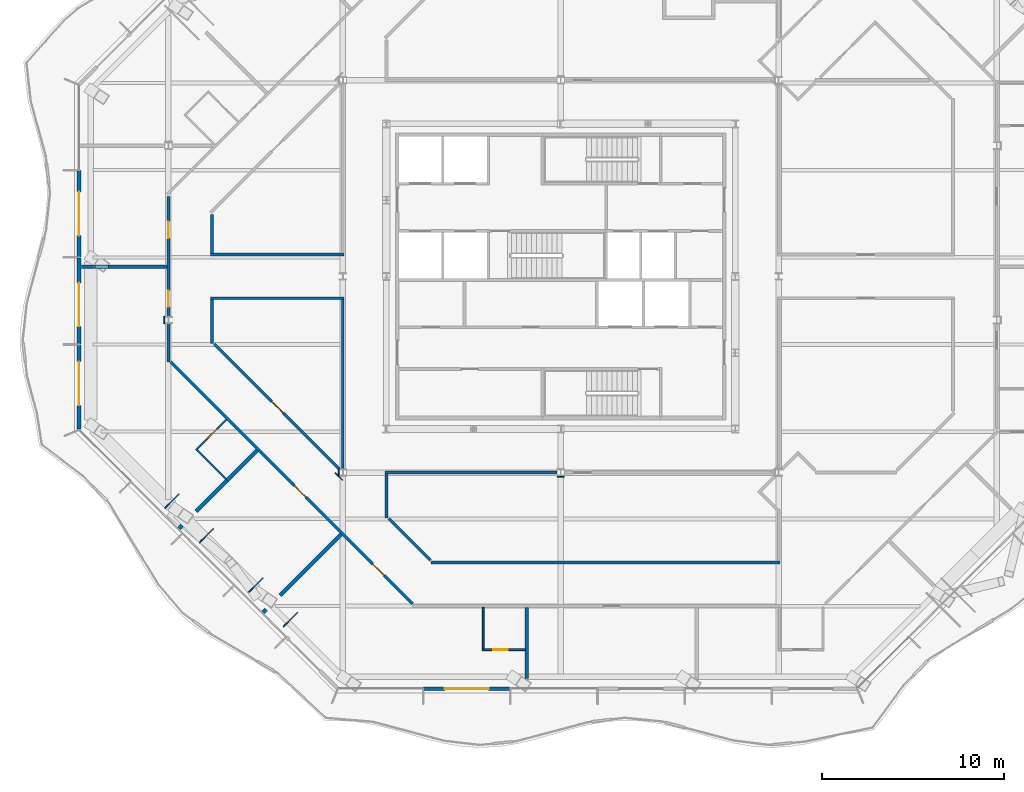
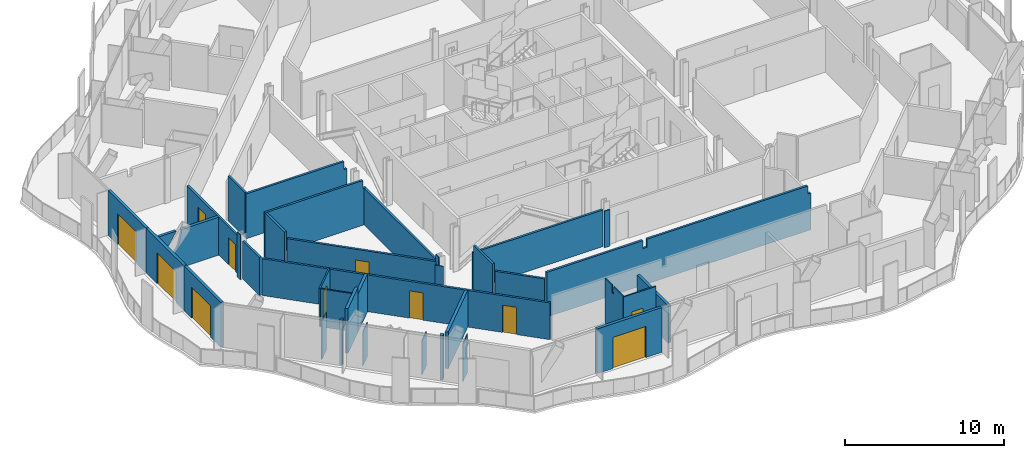
# One storey, part 7 of 21: 37 walls, 11 doors, 11 openings.
"""IFC4 building model written with IfcOpenShell, lengths in metres."""

from ifc_helpers import new_model, si_unit, direction, frame, frame_2d, origin, place, context, subcontext, project, spatial, polyline, rectangle, outline, extrude, material, layer, layer_set, type_object, element, fill, save


model = new_model("IFC4")

# Units and contexts
model_context = context("Model", 3, precision=1e-05, world=origin(), true_north=direction((0.0, 1.0)))
body_context = subcontext(model_context, "Body", "Model", "MODEL_VIEW")
ifc_project = project(units=[si_unit("LENGTHUNIT", "METRE"), si_unit("AREAUNIT", "SQUARE_METRE"), si_unit("VOLUMEUNIT", "CUBIC_METRE"), si_unit("PLANEANGLEUNIT", "RADIAN"), si_unit("MASSUNIT", "GRAM", prefix="KILO")], contexts=[model_context])

# Site, building, storey
site_placement = place(None, origin())
site = spatial("IfcSite", under=ifc_project, at=site_placement, CompositionType="ELEMENT")
building_placement = place(site_placement, origin())
building = spatial("IfcBuilding", under=site, at=building_placement, Name="Cairn Pilgrim Tower", CompositionType="ELEMENT")
storey_placement = place(building_placement, frame((0.0, 0.0, 183.0)))
storey = spatial("IfcBuildingStorey", under=building, at=storey_placement, Name="L46", CompositionType="ELEMENT", Elevation=183.0)

# Wall, opening, door
ifc_material_1 = material(Name="Bronze anodised aluminium insulated sandwich panel with mineral wool fill", Category="aluminium")
ifc_layer_1 = layer(ifc_material_1, 0.199951171875)
ifc_layer_set_1 = layer_set([ifc_layer_1], Name="BRONZE INFILL FRAME WALL 200")
wall_type_1 = type_object("IfcWallType", Name="BRONZE INFILL FRAME WALL 200", PredefinedType="NOTDEFINED", material=ifc_layer_set_1)
wall_1_placement = place(storey_placement, frame((-0.344970703125, -20.300048828125, 0.0), z_axis=(0.0, 0.0, 1.0), x_axis=(1.0, 0.0, 0.0)))
wall_1 = element("IfcWall", 1, at=wall_1_placement, inside=storey, type_object=wall_type_1, Name="Bronze infill frame wall IW-S2", PredefinedType="NOTDEFINED", context=body_context, shape_type="SweptSolid", body=[
    extrude(rectangle(XDim=4.739990234375, YDim=0.199951171875, at=frame_2d((2.3701171875, 0.0))), origin(), (0.0, 0.0, 1.0), 3.449951171875),
])
opening_1_placement = place(wall_1_placement, frame((1.169921875, 0.0, 0.0)))
opening_1 = element("IfcOpeningElement", 2, at=opening_1_placement, cuts=wall_1, Name="Opening 4617B2", PredefinedType="OPENING", context=body_context, shape_type="SweptSolid", body=[
    extrude(rectangle(XDim=2.39990234375, YDim=2.39990234375, at=frame_2d((1.199951171875, 1.199951171875))), frame((0.0, 0.10986328125, 0.0), z_axis=(0.0, -1.0, 0.0), x_axis=(1.0, 0.0, 0.0)), (0.0, 0.0, 1.0), 0.219970703125),
])
ifc_material_2 = material(Name="Bronze anodised aluminium frame with tinted low-E glass", Category="aluminium")
door_type_1 = type_object("IfcDoorType", Name="BALCONY SLIDING DOOR 2400x2400", OperationType="DOUBLE_DOOR_SLIDING", PredefinedType="DOOR", material=ifc_material_2)
door_1_placement = place(opening_1_placement, origin())
door_1 = element("IfcDoor", 3, at=door_1_placement, inside=storey, type_object=door_type_1, Name="Balcony sliding door 4617B2", OperationType="SINGLE_SWING_LEFT", OverallHeight=2.39990234375, OverallWidth=2.39990234375, PredefinedType="DOOR", context=body_context, shape_type="SweptSolid", body=[
    extrude(rectangle(XDim=2.39990234375, YDim=2.39990234375, at=frame_2d((1.199951171875, 1.199951171875))), frame((0.0, 0.02490234375, 0.0), z_axis=(0.0, -1.0, 0.0), x_axis=(1.0, 0.0, 0.0)), (0.0, 0.0, 1.0), 0.050048828125),
])
fill(opening_1, door_1)

wall_2_placement = place(storey_placement, frame((-19.324951171875, 8.219970703125, 0.0), z_axis=(0.0, 0.0, 1.0), x_axis=(0.0, -1.0, 0.0)))
wall_2 = element("IfcWall", 4, at=wall_2_placement, inside=storey, type_object=wall_type_1, Name="Bronze infill frame wall IW-W2", PredefinedType="NOTDEFINED", context=body_context, shape_type="SweptSolid", body=[
    extrude(rectangle(XDim=4.739990234375, YDim=0.199951171875, at=frame_2d((2.3701171875, 0.0))), origin(), (0.0, 0.0, 1.0), 3.449951171875),
])
opening_2_placement = place(wall_2_placement, frame((1.169921875, 0.0, 0.0)))
opening_2 = element("IfcOpeningElement", 5, at=opening_2_placement, cuts=wall_2, Name="Opening 4614B", PredefinedType="OPENING", context=body_context, shape_type="SweptSolid", body=[
    extrude(rectangle(XDim=2.39990234375, YDim=2.39990234375, at=frame_2d((1.199951171875, 1.199951171875))), frame((0.0, 0.10986328125, 0.0), z_axis=(0.0, -1.0, 0.0), x_axis=(1.0, 0.0, 0.0)), (0.0, 0.0, 1.0), 0.219970703125),
])
door_2_placement = place(opening_2_placement, origin())
door_2 = element("IfcDoor", 6, at=door_2_placement, inside=storey, type_object=door_type_1, Name="Balcony sliding door 4614B", OperationType="SINGLE_SWING_LEFT", OverallHeight=2.39990234375, OverallWidth=2.39990234375, PredefinedType="DOOR", context=body_context, shape_type="SweptSolid", body=[
    extrude(rectangle(XDim=2.39990234375, YDim=2.39990234375, at=frame_2d((1.199951171875, 1.199951171875))), frame((0.0, 0.02490234375, 0.0), z_axis=(0.0, -1.0, 0.0), x_axis=(1.0, 0.0, 0.0)), (0.0, 0.0, 1.0), 0.050048828125),
])
fill(opening_2, door_2)

wall_3_placement = place(storey_placement, frame((-19.324951171875, 3.419921875, 0.0), z_axis=(0.0, 0.0, 1.0), x_axis=(0.0, -1.0, 0.0)))
wall_3 = element("IfcWall", 7, at=wall_3_placement, inside=storey, type_object=wall_type_1, Name="Bronze infill frame wall IW-W3", PredefinedType="NOTDEFINED", context=body_context, shape_type="SweptSolid", body=[
    extrude(rectangle(XDim=4.739990234375, YDim=0.199951171875, at=frame_2d((2.3701171875, 0.0))), origin(), (0.0, 0.0, 1.0), 3.449951171875),
])
opening_3_placement = place(wall_3_placement, frame((1.3701171875, 0.0, 0.0)))
opening_3 = element("IfcOpeningElement", 8, at=opening_3_placement, cuts=wall_3, Name="Opening 4615B", PredefinedType="OPENING", context=body_context, shape_type="SweptSolid", body=[
    extrude(rectangle(XDim=2.39990234375, YDim=2.39990234375, at=frame_2d((1.199951171875, 1.199951171875))), frame((0.0, 0.10986328125, 0.0), z_axis=(0.0, -1.0, 0.0), x_axis=(1.0, 0.0, 0.0)), (0.0, 0.0, 1.0), 0.219970703125),
])
door_3_placement = place(opening_3_placement, origin())
door_3 = element("IfcDoor", 9, at=door_3_placement, inside=storey, type_object=door_type_1, Name="Balcony sliding door 4615B", OperationType="SINGLE_SWING_LEFT", OverallHeight=2.39990234375, OverallWidth=2.39990234375, PredefinedType="DOOR", context=body_context, shape_type="SweptSolid", body=[
    extrude(rectangle(XDim=2.39990234375, YDim=2.39990234375, at=frame_2d((1.199951171875, 1.199951171875))), frame((0.0, 0.02490234375, 0.0), z_axis=(0.0, -1.0, 0.0), x_axis=(1.0, 0.0, 0.0)), (0.0, 0.0, 1.0), 0.050048828125),
])
fill(opening_3, door_3)

wall_4_placement = place(storey_placement, frame((-19.324951171875, -1.3798828125, 0.0), z_axis=(0.0, 0.0, 1.0), x_axis=(0.0, -1.0, 0.0)))
wall_4 = element("IfcWall", 10, at=wall_4_placement, inside=storey, type_object=wall_type_1, Name="Bronze infill frame wall IW-W4", PredefinedType="NOTDEFINED", context=body_context, shape_type="SweptSolid", body=[
    extrude(rectangle(XDim=4.62646484375, YDim=0.199951171875, at=frame_2d((2.313232421875, 0.0))), origin(), (0.0, 0.0, 1.0), 3.449951171875),
])
opening_4_placement = place(wall_4_placement, frame((0.91796875, 0.0, 0.0)))
opening_4 = element("IfcOpeningElement", 11, at=opening_4_placement, cuts=wall_4, Name="Opening 4615B2", PredefinedType="OPENING", context=body_context, shape_type="SweptSolid", body=[
    extrude(rectangle(XDim=2.39990234375, YDim=2.39990234375, at=frame_2d((1.199951171875, 1.199951171875))), frame((0.0, 0.10986328125, 0.0), z_axis=(0.0, -1.0, 0.0), x_axis=(1.0, 0.0, 0.0)), (0.0, 0.0, 1.0), 0.219970703125),
])
door_4_placement = place(opening_4_placement, origin())
door_4 = element("IfcDoor", 12, at=door_4_placement, inside=storey, type_object=door_type_1, Name="Balcony sliding door 4615B2", OperationType="SINGLE_SWING_LEFT", OverallHeight=2.39990234375, OverallWidth=2.39990234375, PredefinedType="DOOR", context=body_context, shape_type="SweptSolid", body=[
    extrude(rectangle(XDim=2.39990234375, YDim=2.39990234375, at=frame_2d((1.199951171875, 1.199951171875))), frame((0.0, 0.02490234375, 0.0), z_axis=(0.0, -1.0, 0.0), x_axis=(1.0, 0.0, 0.0)), (0.0, 0.0, 1.0), 0.050048828125),
])
fill(opening_4, door_4)

ifc_material_3 = material(Name="Gypsum partition")
ifc_layer_2 = layer(ifc_material_3, 0.10009765625)
ifc_layer_set_2 = layer_set([ifc_layer_2], Name="PARTITION 100 DRYWALL")
wall_type_2 = type_object("IfcWallType", Name="PARTITION 100 DRYWALL", PredefinedType="PARTITIONING", material=ifc_layer_set_2)
wall_5_placement = place(storey_placement, frame((2.886962890625, -18.14990234375, 0.0), z_axis=(0.0, 0.0, 1.0), x_axis=(1.0, 0.0, 0.0)))
wall_5 = element("IfcWall", 13, at=wall_5_placement, inside=storey, type_object=wall_type_2, Name="PARTITION W003", PredefinedType="PARTITIONING", context=body_context, shape_type="SweptSolid", body=[
    extrude(rectangle(XDim=2.35009765625, YDim=0.10009765625, at=frame_2d((1.175048828125, 0.0))), origin(), (0.0, 0.0, 1.0), 3.449951171875),
])
opening_5_placement = place(wall_5_placement, frame((0.60009765625, 0.0, 0.0)))
opening_5 = element("IfcOpeningElement", 14, at=opening_5_placement, cuts=wall_5, Name="Opening 4617A", PredefinedType="OPENING", context=body_context, shape_type="SweptSolid", body=[
    extrude(rectangle(XDim=0.800048828125, YDim=2.10009765625, at=frame_2d((0.39990234375, 1.050048828125))), frame((0.0, 0.06005859375, 0.0), z_axis=(0.0, -1.0, 0.0), x_axis=(1.0, 0.0, 0.0)), (0.0, 0.0, 1.0), 0.1201171875),
])
ifc_material_4 = material(Name="Timber door leaf", Category="wood")
door_type_2 = type_object("IfcDoorType", Name="WC DOOR 800x2100", OperationType="NOTDEFINED", PredefinedType="DOOR", material=ifc_material_4)
door_5_placement = place(opening_5_placement, frame((0.800048828125, 0.0, 0.0), z_axis=(0.0, 0.0, 1.0), x_axis=(-1.0, 0.0, 0.0)))
door_5 = element("IfcDoor", 15, at=door_5_placement, inside=storey, type_object=door_type_2, Name="DOOR 4617A", OperationType="SINGLE_SWING_LEFT", OverallHeight=2.10009765625, OverallWidth=0.800048828125, PredefinedType="DOOR", context=body_context, shape_type="SweptSolid", body=[
    extrude(rectangle(XDim=0.800048828125, YDim=2.10009765625, at=frame_2d((0.39990234375, 1.050048828125))), frame((0.0, 0.02490234375, 0.0), z_axis=(0.0, -1.0, 0.0), x_axis=(1.0, 0.0, 0.0)), (0.0, 0.0, 1.0), 0.050048828125),
])
fill(opening_5, door_5)

# Walls
wall_6_placement = place(storey_placement, frame((2.93701171875, -18.10009765625, 0.0), z_axis=(0.0, 0.0, 1.0), x_axis=(0.0, 1.0, 0.0)))
element("IfcWall", 16, at=wall_6_placement, inside=storey, type_object=wall_type_2, Name="PARTITION W005", PredefinedType="PARTITIONING", context=body_context, shape_type="SweptSolid", body=[
    extrude(outline(polyline([(0.0, 0.0), (2.275146484375, 0.0), (2.27490234375, 3.449951171875), (1.405029296875, 3.449951171875), (1.403076171875, 2.8798828125), (1.195068359375, 2.8798828125), (1.193115234375, 3.449951171875), (0.0, 3.449951171875), (0.0, 0.0)])), frame((0.0, 0.050048828125, 0.0), z_axis=(0.0, -1.0, 0.0), x_axis=(1.0, 0.0, 0.0)), (0.0, 0.0, 1.0), 0.10009765625),
])
wall_7_placement = place(storey_placement, frame((-11.232666015625, -8.75537109375, 0.0), z_axis=(0.0, 0.0, 1.0), x_axis=(-0.707323685092, 0.706889810726, 0.0)))
element("IfcWall", 17, at=wall_7_placement, inside=storey, type_object=wall_type_2, Name="PARTITION W024", PredefinedType="PARTITIONING", context=body_context, shape_type="SweptSolid", body=[
    extrude(rectangle(XDim=2.250732421875, YDim=0.10009765625, at=frame_2d((1.12548828125, 0.0))), origin(), (0.0, 0.0, 1.0), 2.929931640625),
])

# Wall, opening, door
wall_8_placement = place(storey_placement, frame((-12.8955078125, -7.164306640625, 0.0), z_axis=(0.0, 0.0, 1.0), x_axis=(0.707363658693, 0.706849810328, 0.0)))
wall_8 = element("IfcWall", 18, at=wall_8_placement, inside=storey, type_object=wall_type_2, Name="PARTITION W036", PredefinedType="PARTITIONING", context=body_context, shape_type="SweptSolid", body=[
    extrude(rectangle(XDim=2.37548828125, YDim=0.10009765625, at=frame_2d((1.187744140625, 0.0))), origin(), (0.0, 0.0, 1.0), 2.929931640625),
])
opening_6_placement = place(wall_8_placement, frame((0.8505859375, 0.0, 0.0)))
opening_6 = element("IfcOpeningElement", 19, at=opening_6_placement, cuts=wall_8, Name="Opening 4615A", PredefinedType="OPENING", context=body_context, shape_type="SweptSolid", body=[
    extrude(rectangle(XDim=0.800048828125, YDim=2.10009765625, at=frame_2d((0.39990234375, 1.050048828125))), frame((0.0, 0.06005859375, 0.0), z_axis=(0.0, -1.0, 0.0), x_axis=(1.0, 0.0, 0.0)), (0.0, 0.0, 1.0), 0.1201171875),
])
door_6_placement = place(opening_6_placement, origin())
door_6 = element("IfcDoor", 20, at=door_6_placement, inside=storey, type_object=door_type_2, Name="DOOR 4615A", OperationType="SINGLE_SWING_LEFT", OverallHeight=2.10009765625, OverallWidth=0.800048828125, PredefinedType="DOOR", context=body_context, shape_type="SweptSolid", body=[
    extrude(rectangle(XDim=0.800048828125, YDim=2.10009765625, at=frame_2d((0.39990234375, 1.050048828125))), frame((0.0, 0.02490234375, 0.0), z_axis=(0.0, -1.0, 0.0), x_axis=(1.0, 0.0, 0.0)), (0.0, 0.0, 1.0), 0.050048828125),
])
fill(opening_6, door_6)

# Wall, openings, doors
ifc_layer_3 = layer(ifc_material_3, 0.14990234375)
ifc_layer_set_3 = layer_set([ifc_layer_3], Name="PARTITION 150 DRYWALL EI 60")
wall_type_3 = type_object("IfcWallType", Name="PARTITION 150 DRYWALL EI 60", PredefinedType="PARTITIONING", material=ifc_layer_set_3)
wall_9_placement = place(storey_placement, frame((-0.971923828125, -15.6220703125, 0.0), z_axis=(0.0, 0.0, 1.0), x_axis=(-0.707106781187, 0.707106781187, 0.0)))
wall_9 = element("IfcWall", 21, at=wall_9_placement, inside=storey, type_object=wall_type_3, Name="PARTITION W010", PredefinedType="PARTITIONING", context=body_context, shape_type="SweptSolid", body=[
    extrude(rectangle(XDim=18.80908203125, YDim=0.14990234375, at=frame_2d((9.404541015625, 0.0))), origin(), (0.0, 0.0, 1.0), 2.830078125),
])
opening_7_placement = place(wall_9_placement, frame((8.29150390625, 0.0, 0.0)))
opening_7 = element("IfcOpeningElement", 22, at=opening_7_placement, cuts=wall_9, Name="Opening 4616", PredefinedType="OPENING", context=body_context, shape_type="SweptSolid", body=[
    extrude(rectangle(XDim=0.89990234375, YDim=2.10009765625, at=frame_2d((0.449951171875, 1.050048828125))), frame((0.0, 0.0849609375, 0.0), z_axis=(0.0, -1.0, 0.0), x_axis=(1.0, 0.0, 0.0)), (0.0, 0.0, 1.0), 0.169921875),
])
opening_8_placement = place(wall_9_placement, frame((2.19482421875, 0.0, 0.0)))
opening_8 = element("IfcOpeningElement", 23, at=opening_8_placement, cuts=wall_9, Name="Opening 4617", PredefinedType="OPENING", context=body_context, shape_type="SweptSolid", body=[
    extrude(rectangle(XDim=0.89990234375, YDim=2.10009765625, at=frame_2d((0.449951171875, 1.050048828125))), frame((0.0, 0.0849609375, 0.0), z_axis=(0.0, -1.0, 0.0), x_axis=(1.0, 0.0, 0.0)), (0.0, 0.0, 1.0), 0.169921875),
])
door_type_3 = type_object("IfcDoorType", Name="ROOM DOOR 900x2100 FD30S", OperationType="NOTDEFINED", PredefinedType="DOOR", material=ifc_material_4)
door_7_placement = place(opening_8_placement, origin())
door_7 = element("IfcDoor", 24, at=door_7_placement, inside=storey, type_object=door_type_3, Name="DOOR 4617", OperationType="SINGLE_SWING_LEFT", OverallHeight=2.10009765625, OverallWidth=0.89990234375, PredefinedType="DOOR", context=body_context, shape_type="SweptSolid", body=[
    extrude(rectangle(XDim=0.89990234375, YDim=2.10009765625, at=frame_2d((0.449951171875, 1.050048828125))), frame((0.0, 0.02490234375, 0.0), z_axis=(0.0, -1.0, 0.0), x_axis=(1.0, 0.0, 0.0)), (0.0, 0.0, 1.0), 0.050048828125),
])
fill(opening_8, door_7)
door_type_4 = type_object("IfcDoorType", Name="SERVICE DOOR 900x2100 FD30S", OperationType="NOTDEFINED", PredefinedType="DOOR", material=ifc_material_4)
door_8_placement = place(opening_7_placement, origin())
door_8 = element("IfcDoor", 25, at=door_8_placement, inside=storey, type_object=door_type_4, Name="DOOR 4616", OperationType="SINGLE_SWING_LEFT", OverallHeight=2.10009765625, OverallWidth=0.89990234375, PredefinedType="DOOR", context=body_context, shape_type="SweptSolid", body=[
    extrude(rectangle(XDim=0.89990234375, YDim=2.10009765625, at=frame_2d((0.449951171875, 1.050048828125))), frame((0.0, 0.02490234375, 0.0), z_axis=(0.0, -1.0, 0.0), x_axis=(1.0, 0.0, 0.0)), (0.0, 0.0, 1.0), 0.050048828125),
])
fill(opening_7, door_8)

# Walls
wall_10_placement = place(storey_placement, frame((0.0439453125, -13.35009765625, 0.0), z_axis=(0.0, 0.0, 1.0), x_axis=(1.0, 0.0, 0.0)))
element("IfcWall", 26, at=wall_10_placement, inside=storey, type_object=wall_type_3, Name="PARTITION W014", PredefinedType="PARTITIONING", context=body_context, shape_type="SweptSolid", body=[
    extrude(outline(polyline([(0.0, 0.0), (19.23095703125, 0.0), (19.231201171875, 2.830078125), (19.006103515625, 2.830078125), (19.004150390625, 3.449951171875), (7.30615234375, 3.449951171875), (7.30419921875, 2.830078125), (7.006103515625, 2.830078125), (7.004150390625, 3.449951171875), (0.0, 3.449951171875), (0.0, 0.0)])), frame((0.0, 0.074951171875, 0.0), z_axis=(0.0, -1.0, 0.0), x_axis=(1.0, 0.0, 0.0)), (0.0, 0.0, 1.0), 0.14990234375),
])
wall_11_placement = place(storey_placement, frame((0.02197265625, -13.221923828125, 0.0), z_axis=(0.0, 0.0, 1.0), x_axis=(-0.707106781187, 0.707106781187, 0.0)))
element("IfcWall", 27, at=wall_11_placement, inside=storey, type_object=wall_type_3, Name="PARTITION W016", PredefinedType="PARTITIONING", context=body_context, shape_type="SweptSolid", body=[
    extrude(rectangle(XDim=3.244140625, YDim=0.14990234375, at=frame_2d((1.6220703125, 0.0))), origin(), (0.0, 0.0, 1.0), 2.8798828125),
])
wall_12_placement = place(storey_placement, frame((-2.39990234375, -10.906005859375, 0.0), z_axis=(0.0, 0.0, 1.0), x_axis=(0.0, 1.0, 0.0)))
element("IfcWall", 28, at=wall_12_placement, inside=storey, type_object=wall_type_3, Name="PARTITION W019", PredefinedType="PARTITIONING", context=body_context, shape_type="SweptSolid", body=[
    extrude(outline(polyline([(0.0, 0.0), (2.430908203125, 0.0), (2.43115234375, 2.830078125), (2.356201171875, 2.830078125), (2.35400390625, 3.449951171875), (0.0, 3.449951171875), (0.0, 0.0)])), frame((0.0, 0.074951171875, 0.0), z_axis=(0.0, -1.0, 0.0), x_axis=(1.0, 0.0, 0.0)), (0.0, 0.0, 1.0), 0.14990234375),
])
wall_13_placement = place(storey_placement, frame((-2.47509765625, -8.39990234375, 0.0), z_axis=(0.0, 0.0, 1.0), x_axis=(1.0, 0.0, 0.0)))
element("IfcWall", 29, at=wall_13_placement, inside=storey, type_object=wall_type_3, Name="PARTITION W026", PredefinedType="PARTITIONING", context=body_context, shape_type="SweptSolid", body=[
    extrude(rectangle(XDim=9.4755859375, YDim=0.14990234375, at=frame_2d((4.73779296875, 0.0))), origin(), (0.0, 0.0, 1.0), 2.830078125),
])

# Wall, opening, door
wall_14_placement = place(storey_placement, frame((-4.998046875, -8.201904296875, 0.0), z_axis=(0.0, 0.0, 1.0), x_axis=(-0.707106781187, 0.707106781187, 0.0)))
wall_14 = element("IfcWall", 30, at=wall_14_placement, inside=storey, type_object=wall_type_3, Name="PARTITION W031", PredefinedType="PARTITIONING", context=body_context, shape_type="SweptSolid", body=[
    extrude(rectangle(XDim=9.721435546875, YDim=0.14990234375, at=frame_2d((4.86083984375, 0.0))), origin(), (0.0, 0.0, 1.0), 2.929931640625),
])
opening_9_placement = place(wall_14_placement, frame((4.361328125, 0.0, 0.0)))
opening_9 = element("IfcOpeningElement", 31, at=opening_9_placement, cuts=wall_14, Name="Opening 4626", PredefinedType="OPENING", context=body_context, shape_type="SweptSolid", body=[
    extrude(rectangle(XDim=0.89990234375, YDim=2.10009765625, at=frame_2d((0.449951171875, 1.050048828125))), frame((0.0, 0.0849609375, 0.0), z_axis=(0.0, -1.0, 0.0), x_axis=(1.0, 0.0, 0.0)), (0.0, 0.0, 1.0), 0.169921875),
])
door_9_placement = place(opening_9_placement, frame((0.89990234375, 0.0, 0.0), z_axis=(0.0, 0.0, 1.0), x_axis=(-1.0, 0.0, 0.0)))
door_9 = element("IfcDoor", 32, at=door_9_placement, inside=storey, type_object=door_type_4, Name="DOOR 4626", OperationType="SINGLE_SWING_RIGHT", OverallHeight=2.10009765625, OverallWidth=0.89990234375, PredefinedType="DOOR", context=body_context, shape_type="SweptSolid", body=[
    extrude(rectangle(XDim=0.89990234375, YDim=2.10009765625, at=frame_2d((0.449951171875, 1.050048828125))), frame((0.0, 0.02490234375, 0.0), z_axis=(0.0, -1.0, 0.0), x_axis=(1.0, 0.0, 0.0)), (0.0, 0.0, 1.0), 0.050048828125),
])
fill(opening_9, door_9)

# Walls
wall_15_placement = place(storey_placement, frame((-4.800048828125, -8.20361328125, 0.0), z_axis=(0.0, 0.0, 1.0), x_axis=(0.0, 1.0, 0.0)))
element("IfcWall", 33, at=wall_15_placement, inside=storey, type_object=wall_type_3, Name="PARTITION W032", PredefinedType="PARTITIONING", context=body_context, shape_type="SweptSolid", body=[
    extrude(rectangle(XDim=9.32861328125, YDim=0.14990234375, at=frame_2d((4.664306640625, 0.0))), origin(), (0.0, 0.0, 1.0), 2.830078125),
])
wall_16_placement = place(storey_placement, frame((-14.39990234375, -2.300048828125, 0.0), z_axis=(0.0, 0.0, 1.0), x_axis=(0.0, 1.0, 0.0)))
element("IfcWall", 34, at=wall_16_placement, inside=storey, type_object=wall_type_3, Name="PARTITION W042", PredefinedType="PARTITIONING", context=body_context, shape_type="SweptSolid", body=[
    extrude(rectangle(XDim=2.103515625, YDim=0.14990234375, at=frame_2d((1.0517578125, 0.0))), origin(), (0.0, 0.0, 1.0), 2.929931640625),
])
wall_17_placement = place(storey_placement, frame((-12.0, -1.30615234375, 0.0), z_axis=(0.0, 0.0, 1.0), x_axis=(0.0, 1.0, 0.0)))
element("IfcWall", 35, at=wall_17_placement, inside=storey, type_object=wall_type_3, Name="PARTITION W043", PredefinedType="PARTITIONING", context=body_context, shape_type="SweptSolid", body=[
    extrude(rectangle(XDim=2.43115234375, YDim=0.14990234375, at=frame_2d((1.215576171875, 0.0))), origin(), (0.0, 0.0, 1.0), 3.449951171875),
])

# Wall, openings, doors
wall_18_placement = place(storey_placement, frame((-14.39990234375, 0.196533203125, 0.0), z_axis=(0.0, 0.0, 1.0), x_axis=(0.0, 1.0, 0.0)))
wall_18 = element("IfcWall", 36, at=wall_18_placement, inside=storey, type_object=wall_type_3, Name="PARTITION W044", PredefinedType="PARTITIONING", context=body_context, shape_type="SweptSolid", body=[
    extrude(rectangle(XDim=6.616455078125, YDim=0.14990234375, at=frame_2d((3.30810546875, 0.0))), origin(), (0.0, 0.0, 1.0), 2.929931640625),
])
opening_10_placement = place(wall_18_placement, frame((4.3134765625, 0.0, 0.0)))
opening_10 = element("IfcOpeningElement", 37, at=opening_10_placement, cuts=wall_18, Name="Opening 4614", PredefinedType="OPENING", context=body_context, shape_type="SweptSolid", body=[
    extrude(rectangle(XDim=0.89990234375, YDim=2.10009765625, at=frame_2d((0.449951171875, 1.050048828125))), frame((0.0, 0.0849609375, 0.0), z_axis=(0.0, -1.0, 0.0), x_axis=(1.0, 0.0, 0.0)), (0.0, 0.0, 1.0), 0.169921875),
])
opening_11_placement = place(wall_18_placement, frame((0.51953125, 0.0, 0.0)))
opening_11 = element("IfcOpeningElement", 38, at=opening_11_placement, cuts=wall_18, Name="Opening 4615", PredefinedType="OPENING", context=body_context, shape_type="SweptSolid", body=[
    extrude(rectangle(XDim=0.89990234375, YDim=2.10009765625, at=frame_2d((0.449951171875, 1.050048828125))), frame((0.0, 0.0849609375, 0.0), z_axis=(0.0, -1.0, 0.0), x_axis=(1.0, 0.0, 0.0)), (0.0, 0.0, 1.0), 0.169921875),
])
door_10_placement = place(opening_11_placement, origin())
door_10 = element("IfcDoor", 39, at=door_10_placement, inside=storey, type_object=door_type_3, Name="DOOR 4615", OperationType="SINGLE_SWING_LEFT", OverallHeight=2.10009765625, OverallWidth=0.89990234375, PredefinedType="DOOR", context=body_context, shape_type="SweptSolid", body=[
    extrude(rectangle(XDim=0.89990234375, YDim=2.10009765625, at=frame_2d((0.449951171875, 1.050048828125))), frame((0.0, 0.02490234375, 0.0), z_axis=(0.0, -1.0, 0.0), x_axis=(1.0, 0.0, 0.0)), (0.0, 0.0, 1.0), 0.050048828125),
])
fill(opening_11, door_10)
door_11_placement = place(opening_10_placement, origin())
door_11 = element("IfcDoor", 40, at=door_11_placement, inside=storey, type_object=door_type_4, Name="DOOR 4614", OperationType="SINGLE_SWING_LEFT", OverallHeight=2.10009765625, OverallWidth=0.89990234375, PredefinedType="DOOR", context=body_context, shape_type="SweptSolid", body=[
    extrude(rectangle(XDim=0.89990234375, YDim=2.10009765625, at=frame_2d((0.449951171875, 1.050048828125))), frame((0.0, 0.02490234375, 0.0), z_axis=(0.0, -1.0, 0.0), x_axis=(1.0, 0.0, 0.0)), (0.0, 0.0, 1.0), 0.050048828125),
])
fill(opening_10, door_11)

# Walls
for number, where, z_axis, x_axis, name in (
    (41, (-12.074951171875, 1.199951171875, 0.0), (0.0, 0.0, 1.0), (1.0, 0.0, 0.0), "PARTITION W046"),
    (42, (-12.074951171875, 3.60009765625, 0.0), (0.0, 0.0, 1.0), (1.0, 0.0, 0.0), "PARTITION W051"),
):
    element("IfcWall", number, at=place(storey_placement, frame(where, z_axis=z_axis, x_axis=x_axis)), inside=storey, type_object=wall_type_3, Name=name, PredefinedType="PARTITIONING", context=body_context, shape_type="SweptSolid", body=[
        extrude(outline(polyline([(0.0, 0.0), (7.349853515625, 0.0), (7.35009765625, 2.830078125), (7.125, 2.830078125), (7.123046875, 3.449951171875), (0.0, 3.449951171875), (0.0, 0.0)])), frame((0.0, 0.074951171875, 0.0), z_axis=(0.0, -1.0, 0.0), x_axis=(1.0, 0.0, 0.0)), (0.0, 0.0, 1.0), 0.14990234375),
    ])
wall_19_placement = place(storey_placement, frame((-12.0, 3.675048828125, 0.0), z_axis=(0.0, 0.0, 1.0), x_axis=(0.0, 1.0, 0.0)))
element("IfcWall", 43, at=wall_19_placement, inside=storey, type_object=wall_type_3, Name="PARTITION W053", PredefinedType="PARTITIONING", context=body_context, shape_type="SweptSolid", body=[
    extrude(rectangle(XDim=2.143798828125, YDim=0.14990234375, at=frame_2d((1.07177734375, 0.0))), origin(), (0.0, 0.0, 1.0), 3.449951171875),
])
ifc_layer_4 = layer(ifc_material_3, 0.050048828125)
ifc_layer_set_4 = layer_set([ifc_layer_4], Name="PARTITION 50 DRYWALL EI 60")
wall_type_4 = type_object("IfcWallType", Name="PARTITION 50 DRYWALL EI 60", PredefinedType="PARTITIONING", material=ifc_layer_set_4)
wall_20_placement = place(storey_placement, frame((-8.074951171875, -16.8876953125, 0.0), z_axis=(0.0, 0.0, 1.0), x_axis=(0.707106781187, 0.707106781187, 0.0)))
element("IfcWall", 44, at=wall_20_placement, inside=storey, type_object=wall_type_4, Name="COLUMN CASING WC01", PredefinedType="PARTITIONING", context=body_context, shape_type="SweptSolid", body=[
    extrude(rectangle(XDim=1.0927734375, YDim=0.050048828125, at=frame_2d((0.54638671875, 0.0))), origin(), (0.0, 0.0, 1.0), 2.929931640625),
])
wall_21_placement = place(storey_placement, frame((-9.975830078125, -14.986328125, 0.0), z_axis=(0.0, 0.0, 1.0), x_axis=(0.707218461952, 0.706995082779, 0.0)))
element("IfcWall", 45, at=wall_21_placement, inside=storey, type_object=wall_type_4, Name="COLUMN CASING WC02", PredefinedType="PARTITIONING", context=body_context, shape_type="SweptSolid", body=[
    extrude(rectangle(XDim=1.093017578125, YDim=0.050048828125, at=frame_2d((0.54638671875, 0.0))), origin(), (0.0, 0.0, 1.0), 2.6298828125),
])
wall_22_placement = place(storey_placement, frame((-14.60009765625, -10.362060546875, 0.0), z_axis=(0.0, 0.0, 1.0), x_axis=(0.707218461952, 0.706995082779, 0.0)))
element("IfcWall", 46, at=wall_22_placement, inside=storey, type_object=wall_type_4, Name="COLUMN CASING WC05", PredefinedType="PARTITIONING", context=body_context, shape_type="SweptSolid", body=[
    extrude(rectangle(XDim=1.093017578125, YDim=0.050048828125, at=frame_2d((0.54638671875, 0.0))), origin(), (0.0, 0.0, 1.0), 2.929931640625),
])
wall_23_placement = place(storey_placement, frame((-12.69921875, -12.263671875, 0.0), z_axis=(0.0, 0.0, 1.0), x_axis=(0.707218461952, 0.706995082779, 0.0)))
element("IfcWall", 47, at=wall_23_placement, inside=storey, type_object=wall_type_4, Name="COLUMN CASING WC06", PredefinedType="PARTITIONING", context=body_context, shape_type="SweptSolid", body=[
    extrude(rectangle(XDim=1.093017578125, YDim=0.050048828125, at=frame_2d((0.54638671875, 0.0))), origin(), (0.0, 0.0, 1.0), 2.6298828125),
])
wall_24_placement = place(storey_placement, frame((-5.0244140625, -8.596435546875, 0.0), z_axis=(0.0, 0.0, 1.0), x_axis=(0.0, 1.0, 0.0)))
element("IfcWall", 48, at=wall_24_placement, inside=storey, type_object=wall_type_4, Name="COLUMN CASING WC09", PredefinedType="PARTITIONING", context=body_context, shape_type="SweptSolid", body=[
    extrude(rectangle(XDim=0.392822265625, YDim=0.050048828125, at=frame_2d((0.1962890625, 0.0))), origin(), (0.0, 0.0, 1.0), 3.449951171875),
])
wall_25_placement = place(storey_placement, frame((7.00048828125, -8.62158203125, 0.0), z_axis=(0.0, 0.0, 1.0), x_axis=(1.0, 0.0, 0.0)))
element("IfcWall", 49, at=wall_25_placement, inside=storey, type_object=wall_type_4, Name="COLUMN CASING WC10", PredefinedType="PARTITIONING", context=body_context, shape_type="SweptSolid", body=[
    extrude(rectangle(XDim=0.39892578125, YDim=0.050048828125, at=frame_2d((0.199462890625, 0.0))), origin(), (0.0, 0.0, 1.0), 2.830078125),
])
wall_26_placement = place(storey_placement, frame((-4.817626953125, -8.813720703125, 0.0), z_axis=(0.0, 0.0, 1.0), x_axis=(-0.707106781187, 0.707106781187, 0.0)))
element("IfcWall", 50, at=wall_26_placement, inside=storey, type_object=wall_type_4, Name="COLUMN CASING WC12", PredefinedType="PARTITIONING", context=body_context, shape_type="SweptSolid", body=[
    extrude(rectangle(XDim=0.56005859375, YDim=0.050048828125, at=frame_2d((0.280029296875, 0.0))), origin(), (0.0, 0.0, 1.0), 2.830078125),
])
wall_27_placement = place(storey_placement, frame((-14.62451171875, -0.196533203125, 0.0), z_axis=(0.0, 0.0, 1.0), x_axis=(0.0, 1.0, 0.0)))
element("IfcWall", 51, at=wall_27_placement, inside=storey, type_object=wall_type_4, Name="COLUMN CASING WC16", PredefinedType="PARTITIONING", context=body_context, shape_type="SweptSolid", body=[
    extrude(rectangle(XDim=0.39306640625, YDim=0.050048828125, at=frame_2d((0.196533203125, 0.0))), origin(), (0.0, 0.0, 1.0), 3.449951171875),
])
ifc_layer_5 = layer(ifc_material_3, 0.199951171875)
ifc_layer_set_5 = layer_set([ifc_layer_5], Name="SHAFT WALL 200 GYPSUM EI 60")
wall_type_5 = type_object("IfcWallType", Name="SHAFT WALL 200 GYPSUM EI 60", PredefinedType="PARTITIONING", material=ifc_layer_set_5)
wall_28_placement = place(storey_placement, frame((5.3369140625, -19.75927734375, 0.0), z_axis=(0.0, 0.0, 1.0), x_axis=(0.0, 1.0, 0.0)))
element("IfcWall", 52, at=wall_28_placement, inside=storey, type_object=wall_type_5, Name="PARTITION W001", PredefinedType="PARTITIONING", context=body_context, shape_type="SweptSolid", body=[
    extrude(outline(polyline([(0.01123046875, 0.0), (3.93408203125, 0.0), (3.93408203125, 0.862548828125), (3.93408203125, 1.72509765625), (3.93408203125, 2.58740234375), (3.93408203125, 2.8798828125), (0.0, 2.8798828125), (0.0, 2.58740234375), (0.0, 1.72509765625), (0.01123046875, 0.862548828125), (0.01123046875, 0.0)])), frame((0.0, 0.10009765625, 0.0), z_axis=(0.0, -1.0, 0.0), x_axis=(1.0, 0.0, 0.0)), (0.0, 0.0, 1.0), 0.199951171875),
])
wall_29_placement = place(storey_placement, frame((-9.187744140625, -16.098876953125, 0.0), z_axis=(0.0, 0.0, 1.0), x_axis=(0.707106781187, 0.707106781187, 0.0)))
element("IfcWall", 53, at=wall_29_placement, inside=storey, type_object=wall_type_5, Name="PARTITION W008", PredefinedType="PARTITIONING", context=body_context, shape_type="SweptSolid", body=[
    extrude(rectangle(XDim=0.229248046875, YDim=0.199951171875, at=frame_2d((0.11474609375, 0.0))), origin(), (0.0, 0.0, 1.0), 3.449951171875),
])
wall_30_placement = place(storey_placement, frame((-8.2529296875, -15.1640625, 0.0), z_axis=(0.0, 0.0, 1.0), x_axis=(0.707183879456, 0.70702967451, 0.0)))
element("IfcWall", 54, at=wall_30_placement, inside=storey, type_object=wall_type_5, Name="PARTITION W012", PredefinedType="PARTITIONING", context=body_context, shape_type="SweptSolid", body=[
    extrude(rectangle(XDim=4.749755859375, YDim=0.199951171875, at=frame_2d((2.375, 0.0))), origin(), (0.0, 0.0, 1.0), 2.830078125),
])
wall_31_placement = place(storey_placement, frame((-13.811767578125, -11.474853515625, 0.0), z_axis=(0.0, 0.0, 1.0), x_axis=(0.707639441435, 0.706573719385, 0.0)))
element("IfcWall", 55, at=wall_31_placement, inside=storey, type_object=wall_type_5, Name="PARTITION W018", PredefinedType="PARTITIONING", context=body_context, shape_type="SweptSolid", body=[
    extrude(rectangle(XDim=0.22900390625, YDim=0.199951171875, at=frame_2d((0.114501953125, 0.0))), origin(), (0.0, 0.0, 1.0), 3.449951171875),
])
wall_32_placement = place(storey_placement, frame((-12.876708984375, -10.5400390625, 0.0), z_axis=(0.0, 0.0, 1.0), x_axis=(0.707207472788, 0.707006075245, 0.0)))
element("IfcWall", 56, at=wall_32_placement, inside=storey, type_object=wall_type_5, Name="PARTITION W020", PredefinedType="PARTITIONING", context=body_context, shape_type="SweptSolid", body=[
    extrude(rectangle(XDim=2.424560546875, YDim=0.199951171875, at=frame_2d((1.21240234375, 0.0))), origin(), (0.0, 0.0, 1.0), 3.449951171875),
])
wall_33_placement = place(storey_placement, frame((-11.162109375, -8.825927734375, 0.0), z_axis=(0.0, 0.0, 1.0), x_axis=(0.707106781187, 0.707106781187, 0.0)))
element("IfcWall", 57, at=wall_33_placement, inside=storey, type_object=wall_type_5, Name="PARTITION W025", PredefinedType="PARTITIONING", context=body_context, shape_type="SweptSolid", body=[
    extrude(rectangle(XDim=2.324951171875, YDim=0.199951171875, at=frame_2d((1.16259765625, 0.0))), origin(), (0.0, 0.0, 1.0), 2.929931640625),
])
wall_34_placement = place(storey_placement, frame((-19.195068359375, 2.925048828125, 0.0), z_axis=(0.0, 0.0, 1.0), x_axis=(1.0, 0.0, 0.0)))
element("IfcWall", 58, at=wall_34_placement, inside=storey, type_object=wall_type_5, Name="PARTITION W048", PredefinedType="PARTITIONING", context=body_context, shape_type="SweptSolid", body=[
    extrude(outline(polyline([(0.0, 0.0), (0.61669921875, 0.0), (0.61669921875, 0.862548828125), (0.891845703125, 1.72509765625), (1.42578125, 2.58740234375), (1.642333984375, 2.929931640625), (0.0, 2.929931640625), (0.0, 2.58740234375), (0.0, 1.72509765625), (0.0, 0.862548828125), (0.0, 0.0)])), frame((0.0, 0.10009765625, 0.0), z_axis=(0.0, -1.0, 0.0), x_axis=(1.0, 0.0, 0.0)), (0.0, 0.0, 1.0), 0.199951171875),
])
wall_35_placement = place(storey_placement, frame((-18.456298828125, 2.925048828125, 0.0), z_axis=(0.0, 0.0, 1.0), x_axis=(1.0, 0.0, 0.0)))
element("IfcWall", 59, at=wall_35_placement, inside=storey, type_object=wall_type_5, Name="PARTITION W049", PredefinedType="PARTITIONING", context=body_context, shape_type="SweptSolid", body=[
    extrude(outline(polyline([(0.0, 0.0), (3.981201171875, 0.0), (3.981201171875, 0.862548828125), (3.981201171875, 1.72509765625), (3.981201171875, 2.58740234375), (3.981201171875, 2.929931640625), (1.259521484375, 2.929931640625), (1.259521484375, 2.58740234375), (1.0498046875, 1.72509765625), (0.545166015625, 0.862548828125), (0.0, 0.0)])), frame((0.0, 0.10009765625, 0.0), z_axis=(0.0, -1.0, 0.0), x_axis=(1.0, 0.0, 0.0)), (0.0, 0.0, 1.0), 0.199951171875),
])

save(model, "model.ifc")
